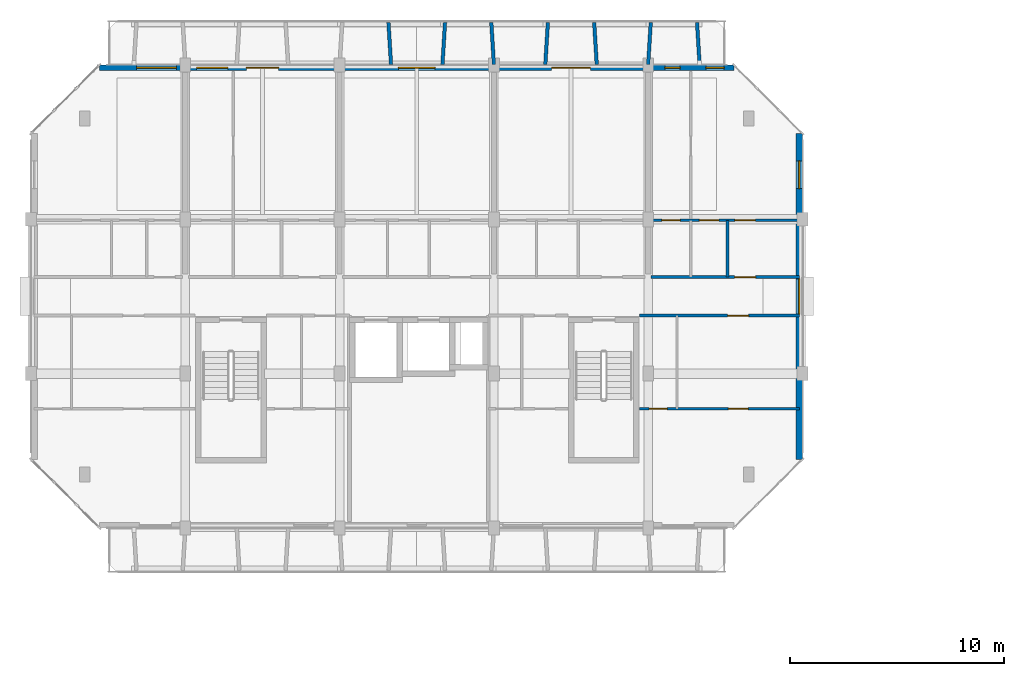
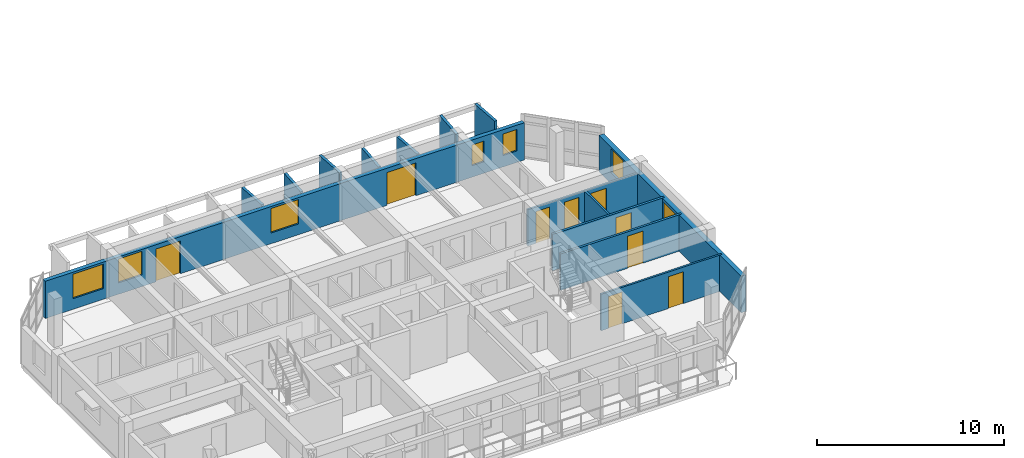
# One storey, part 20 of 43: 14 walls, 9 doors, 7 windows, 16 openings.
"""IFC4 building model written with IfcOpenShell, lengths in metres."""

from ifc_helpers import new_model, si_unit, direction, frame, frame_2d, origin, place, context, subcontext, project, spatial, rectangle, extrude, material, layer, layer_set, type_object, element, fill, save


model = new_model("IFC4")

# Units and contexts
model_context = context("Model", 3, precision=1e-05, world=origin(), true_north=direction((0.0, 1.0)))
body_context = subcontext(model_context, "Body", "Model", "MODEL_VIEW")
ifc_project = project(units=[si_unit("LENGTHUNIT", "METRE"), si_unit("AREAUNIT", "SQUARE_METRE"), si_unit("VOLUMEUNIT", "CUBIC_METRE"), si_unit("PLANEANGLEUNIT", "RADIAN"), si_unit("MASSUNIT", "GRAM", prefix="KILO")], contexts=[model_context])

# Site, building, storey
site_placement = place(None, origin())
site = spatial("IfcSite", under=ifc_project, at=site_placement, CompositionType="ELEMENT")
building_placement = place(site_placement, origin())
building = spatial("IfcBuilding", under=site, at=building_placement, Name="Ochrevale Crest", CompositionType="ELEMENT")
storey_placement = place(building_placement, frame((0.0, 0.0, 15.0)))
storey = spatial("IfcBuildingStorey", under=building, at=storey_placement, Name="L04", CompositionType="ELEMENT", Elevation=15.0)

# Wall, opening, door
ifc_material_1 = material(Name="Gypsum plasterboard", Category="gypsum")
ifc_layer_1 = layer(ifc_material_1, 0.139892578125)
ifc_layer_set_1 = layer_set([ifc_layer_1], Name="Gypsum plasterboard")
wall_type_1 = type_object("IfcWallType", Name="WL-COR-140", PredefinedType="PARTITIONING", material=ifc_layer_set_1)
wall_1_placement = place(storey_placement, frame((28.93994140625, 83.699951171875, 0.0), z_axis=(0.0, 0.0, 1.0), x_axis=(1.0, 0.0, 0.0)))
wall_1 = element("IfcWall", 1, at=wall_1_placement, inside=storey, type_object=wall_type_1, Name="Apartment B-L04-U5 corridor wall", PredefinedType="PARTITIONING", context=body_context, shape_type="SweptSolid", body=[
    extrude(rectangle(XDim=6.920166015625, YDim=0.139892578125, at=frame_2d((3.4599609375, 0.0))), origin(), (0.0, 0.0, 1.0), 2.3798828125),
])
opening_1_placement = place(wall_1_placement, frame((4.875, 0.0, 0.0), z_axis=(0.0, 0.0, 1.0), x_axis=(-1.0, 0.0, 0.0)))
opening_1 = element("IfcOpeningElement", 2, at=opening_1_placement, cuts=wall_1, Name="Opening FD01", PredefinedType="OPENING", context=body_context, shape_type="SweptSolid", body=[
    extrude(rectangle(XDim=0.97998046875, YDim=2.10009765625, at=frame_2d((0.489990234375, 1.050048828125))), frame((0.0, 0.080078125, 0.0), z_axis=(0.0, -1.0, 0.0), x_axis=(1.0, 0.0, 0.0)), (0.0, 0.0, 1.0), 0.159912109375),
])
ifc_material_2 = material(Name="Solid-core FSC hardwood", Category="wood")
door_type_1 = type_object("IfcDoorType", Name="DR-APT-950", OperationType="NOTDEFINED", PredefinedType="DOOR", material=ifc_material_2)
door_1_placement = place(opening_1_placement, origin())
door_1 = element("IfcDoor", 3, at=door_1_placement, inside=storey, type_object=door_type_1, Name="Apartment B-L04-U5 entrance door", OperationType="SINGLE_SWING_RIGHT", OverallHeight=2.10009765625, OverallWidth=0.97998046875, PredefinedType="DOOR", context=body_context, shape_type="SweptSolid", body=[
    extrude(rectangle(XDim=0.97998046875, YDim=2.10009765625, at=frame_2d((0.489990234375, 1.050048828125))), frame((0.0, 0.02490234375, 0.0), z_axis=(0.0, -1.0, 0.0), x_axis=(1.0, 0.0, 0.0)), (0.0, 0.0, 1.0), 0.050048828125),
])
fill(opening_1, door_1)

wall_2_placement = place(storey_placement, frame((28.389892578125, 81.89990234375, 0.0), z_axis=(0.0, 0.0, 1.0), x_axis=(1.0, 0.0, 0.0)))
wall_2 = element("IfcWall", 4, at=wall_2_placement, inside=storey, type_object=wall_type_1, Name="Suite B-L04-CE corridor wall", PredefinedType="PARTITIONING", context=body_context, shape_type="SweptSolid", body=[
    extrude(rectangle(XDim=7.47021484375, YDim=0.139892578125, at=frame_2d((3.735107421875, 0.0))), origin(), (0.0, 0.0, 1.0), 2.3798828125),
])
opening_2_placement = place(wall_2_placement, frame((5.10009765625, 0.0, 0.0), z_axis=(0.0, 0.0, 1.0), x_axis=(-1.0, 0.0, 0.0)))
opening_2 = element("IfcOpeningElement", 5, at=opening_2_placement, cuts=wall_2, Name="Opening FD01", PredefinedType="OPENING", context=body_context, shape_type="SweptSolid", body=[
    extrude(rectangle(XDim=0.97998046875, YDim=2.10009765625, at=frame_2d((0.489990234375, 1.050048828125))), frame((0.0, 0.080078125, 0.0), z_axis=(0.0, -1.0, 0.0), x_axis=(1.0, 0.0, 0.0)), (0.0, 0.0, 1.0), 0.159912109375),
])
door_2_placement = place(opening_2_placement, origin())
door_2 = element("IfcDoor", 6, at=door_2_placement, inside=storey, type_object=door_type_1, Name="Suite B-L04-CE entrance door", OperationType="SINGLE_SWING_RIGHT", OverallHeight=2.10009765625, OverallWidth=0.97998046875, PredefinedType="DOOR", context=body_context, shape_type="SweptSolid", body=[
    extrude(rectangle(XDim=0.97998046875, YDim=2.10009765625, at=frame_2d((0.489990234375, 1.050048828125))), frame((0.0, 0.02490234375, 0.0), z_axis=(0.0, -1.0, 0.0), x_axis=(1.0, 0.0, 0.0)), (0.0, 0.0, 1.0), 0.050048828125),
])
fill(opening_2, door_2)

# Wall, openings, windows
ifc_material_3 = material(Name="Clay face brickwork", Category="masonry")
ifc_layer_2 = layer(ifc_material_3, 0.2900390625)
ifc_layer_set_2 = layer_set([ifc_layer_2], Name="Clay face brickwork")
wall_type_2 = type_object("IfcWallType", Name="WL-EXT-BRICK-290", PredefinedType="SOLIDWALL", material=ifc_layer_set_2)
wall_3_placement = place(storey_placement, frame((35.85498046875, 75.199951171875, 0.0), z_axis=(0.0, 0.0, 1.0), x_axis=(0.0, 1.0, 0.0)))
wall_3 = element("IfcWall", 7, at=wall_3_placement, inside=storey, type_object=wall_type_2, Name="Block B L04 external facade wall E3", PredefinedType="SOLIDWALL", context=body_context, shape_type="SweptSolid", body=[
    extrude(rectangle(XDim=15.199951171875, YDim=0.2900390625, at=frame_2d((7.60009765625, 0.0))), origin(), (0.0, 0.0, 1.0), 2.3798828125),
])
opening_3_placement = place(wall_3_placement, frame((6.77490234375, 0.0, 1.050048828125)))
opening_3 = element("IfcOpeningElement", 8, at=opening_3_placement, cuts=wall_3, Name="Opening W19", PredefinedType="OPENING", context=body_context, shape_type="SweptSolid", body=[
    extrude(rectangle(XDim=1.64990234375, YDim=1.14990234375, at=frame_2d((0.824951171875, 0.574951171875))), frame((0.0, 0.155029296875, 0.0), z_axis=(0.0, -1.0, 0.0), x_axis=(1.0, 0.0, 0.0)), (0.0, 0.0, 1.0), 0.31005859375),
])
opening_4_placement = place(wall_3_placement, frame((12.62744140625, 0.0, 0.719970703125)))
opening_4 = element("IfcOpeningElement", 9, at=opening_4_placement, cuts=wall_3, Name="Opening W30", PredefinedType="OPENING", context=body_context, shape_type="SweptSolid", body=[
    extrude(rectangle(XDim=1.300048828125, YDim=1.550048828125, at=frame_2d((0.64990234375, 0.77490234375))), frame((0.0, 0.155029296875, 0.0), z_axis=(0.0, -1.0, 0.0), x_axis=(1.0, 0.0, 0.0)), (0.0, 0.0, 1.0), 0.31005859375),
])
ifc_material_4 = material(Name="Anodised aluminium 6063-T5 and low-E double glazing", Category="aluminium")
window_type_1 = type_object("IfcWindowType", Name="WIN-W19", PartitioningType="SINGLE_PANEL", PredefinedType="WINDOW", material=ifc_material_4)
window_1_placement = place(opening_3_placement, origin())
window_1 = element("IfcWindow", 10, at=window_1_placement, inside=storey, type_object=window_type_1, Name="Block B L04 corridor end daylight window E", OverallHeight=1.14990234375, OverallWidth=1.64990234375, PartitioningType="SINGLE_PANEL", PredefinedType="WINDOW", context=body_context, shape_type="SweptSolid", body=[
    extrude(rectangle(XDim=1.64990234375, YDim=1.14990234375, at=frame_2d((0.824951171875, 0.574951171875))), frame((0.0, 0.030029296875, 0.0), z_axis=(0.0, -1.0, 0.0), x_axis=(1.0, 0.0, 0.0)), (0.0, 0.0, 1.0), 0.06005859375),
])
fill(opening_3, window_1)
window_type_2 = type_object("IfcWindowType", Name="WIN-W30", PartitioningType="SINGLE_PANEL", PredefinedType="WINDOW", material=ifc_material_4)
window_2_placement = place(opening_4_placement, origin())
window_2 = element("IfcWindow", 11, at=window_2_placement, inside=storey, type_object=window_type_2, Name="Block B L04 side suite window E", OverallHeight=1.550048828125, OverallWidth=1.300048828125, PartitioningType="SINGLE_PANEL", PredefinedType="WINDOW", context=body_context, shape_type="SweptSolid", body=[
    extrude(rectangle(XDim=1.300048828125, YDim=1.550048828125, at=frame_2d((0.64990234375, 0.77490234375))), frame((0.0, 0.030029296875, 0.0), z_axis=(0.0, -1.0, 0.0), x_axis=(1.0, 0.0, 0.0)), (0.0, 0.0, 1.0), 0.06005859375),
])
fill(opening_4, window_2)

# Wall, openings, doors, windows
ifc_material_5 = material(Name="Precast concrete C40/50", Category="concrete")
ifc_layer_3 = layer(ifc_material_5, 0.25)
ifc_layer_set_3 = layer_set([ifc_layer_3], Name="Precast concrete C40/50")
wall_type_3 = type_object("IfcWallType", Name="WL-EXT-GOLD-250", PredefinedType="SOLIDWALL", material=ifc_layer_set_3)
wall_4_placement = place(storey_placement, frame((32.800048828125, 93.47509765625, 0.0), z_axis=(0.0, 0.0, 1.0), x_axis=(-1.0, 0.0, 0.0)))
wall_4 = element("IfcWall", 12, at=wall_4_placement, inside=storey, type_object=wall_type_3, Name="Block B L04 external facade wall E5", PredefinedType="SOLIDWALL", context=body_context, shape_type="SweptSolid", body=[
    extrude(rectangle(XDim=29.60009765625, YDim=0.25, at=frame_2d((14.800048828125, 0.0))), origin(), (0.0, 0.0, 1.0), 2.429931640625),
])
opening_5_placement = place(wall_4_placement, frame((22.75, 0.0, 0.0), z_axis=(0.0, 0.0, 1.0), x_axis=(-1.0, 0.0, 0.0)))
opening_5 = element("IfcOpeningElement", 13, at=opening_5_placement, cuts=wall_4, Name="Opening BD01", PredefinedType="OPENING", context=body_context, shape_type="SweptSolid", body=[
    extrude(rectangle(XDim=1.5, YDim=2.14990234375, at=frame_2d((0.75, 1.074951171875))), frame((0.0, 0.135009765625, 0.0), z_axis=(0.0, -1.0, 0.0), x_axis=(1.0, 0.0, 0.0)), (0.0, 0.0, 1.0), 0.27001953125),
])
opening_6_placement = place(wall_4_placement, frame((8.5, 0.0, 0.0), z_axis=(0.0, 0.0, 1.0), x_axis=(-1.0, 0.0, 0.0)))
opening_6 = element("IfcOpeningElement", 14, at=opening_6_placement, cuts=wall_4, Name="Opening BD03", PredefinedType="OPENING", context=body_context, shape_type="SweptSolid", body=[
    extrude(rectangle(XDim=1.800048828125, YDim=2.14990234375, at=frame_2d((0.89990234375, 1.074951171875))), frame((0.0, 0.135009765625, 0.0), z_axis=(0.0, -1.0, 0.0), x_axis=(1.0, 0.0, 0.0)), (0.0, 0.0, 1.0), 0.27001953125),
])
opening_7_placement = place(wall_4_placement, frame((26.014892578125, 0.0, 0.699951171875)))
opening_7 = element("IfcOpeningElement", 15, at=opening_7_placement, cuts=wall_4, Name="Opening W11", PredefinedType="OPENING", context=body_context, shape_type="SweptSolid", body=[
    extrude(rectangle(XDim=1.860107421875, YDim=1.60009765625, at=frame_2d((0.93017578125, 0.800048828125))), frame((0.0, 0.135009765625, 0.0), z_axis=(0.0, -1.0, 0.0), x_axis=(1.0, 0.0, 0.0)), (0.0, 0.0, 1.0), 0.27001953125),
])
opening_8_placement = place(wall_4_placement, frame((23.610107421875, 0.0, 0.75)))
opening_8 = element("IfcOpeningElement", 16, at=opening_8_placement, cuts=wall_4, Name="Opening W08", PredefinedType="OPENING", context=body_context, shape_type="SweptSolid", body=[
    extrude(rectangle(XDim=1.4599609375, YDim=1.550048828125, at=frame_2d((0.72998046875, 0.77490234375))), frame((0.0, 0.135009765625, 0.0), z_axis=(0.0, -1.0, 0.0), x_axis=(1.0, 0.0, 0.0)), (0.0, 0.0, 1.0), 0.27001953125),
])
opening_9_placement = place(wall_4_placement, frame((13.93994140625, 0.0, 0.699951171875)))
opening_9 = element("IfcOpeningElement", 17, at=opening_9_placement, cuts=wall_4, Name="Opening W10", PredefinedType="OPENING", context=body_context, shape_type="SweptSolid", body=[
    extrude(rectangle(XDim=1.719970703125, YDim=1.60009765625, at=frame_2d((0.85986328125, 0.800048828125))), frame((0.0, 0.135009765625, 0.0), z_axis=(0.0, -1.0, 0.0), x_axis=(1.0, 0.0, 0.0)), (0.0, 0.0, 1.0), 0.27001953125),
])
opening_10_placement = place(wall_4_placement, frame((2.5048828125, 0.0, 0.75)))
opening_10 = element("IfcOpeningElement", 18, at=opening_10_placement, cuts=wall_4, Name="Opening W02", PredefinedType="OPENING", context=body_context, shape_type="SweptSolid", body=[
    extrude(rectangle(XDim=0.719970703125, YDim=1.35009765625, at=frame_2d((0.35986328125, 0.675048828125))), frame((0.0, 0.135009765625, 0.0), z_axis=(0.0, -1.0, 0.0), x_axis=(1.0, 0.0, 0.0)), (0.0, 0.0, 1.0), 0.27001953125),
])
opening_11_placement = place(wall_4_placement, frame((0.4599609375, 0.0, 0.75)))
opening_11 = element("IfcOpeningElement", 19, at=opening_11_placement, cuts=wall_4, Name="Opening W03", PredefinedType="OPENING", context=body_context, shape_type="SweptSolid", body=[
    extrude(rectangle(XDim=0.85009765625, YDim=1.39990234375, at=frame_2d((0.425048828125, 0.699951171875))), frame((0.0, 0.135009765625, 0.0), z_axis=(0.0, -1.0, 0.0), x_axis=(1.0, 0.0, 0.0)), (0.0, 0.0, 1.0), 0.27001953125),
])
ifc_material_6 = material(Name="Anodised aluminium 6063-T5 and toughened glass", Category="aluminium")
door_type_2 = type_object("IfcDoorType", Name="DR-BAL-1500", OperationType="NOTDEFINED", PredefinedType="DOOR", material=ifc_material_6)
door_3_placement = place(opening_5_placement, origin())
door_3 = element("IfcDoor", 20, at=door_3_placement, inside=storey, type_object=door_type_2, Name="Block B L04 balcony door N2", OperationType="SINGLE_SWING_RIGHT", OverallHeight=2.14990234375, OverallWidth=1.5, PredefinedType="DOOR", context=body_context, shape_type="SweptSolid", body=[
    extrude(rectangle(XDim=1.5, YDim=2.14990234375, at=frame_2d((0.75, 1.074951171875))), frame((0.0, 0.02490234375, 0.0), z_axis=(0.0, -1.0, 0.0), x_axis=(1.0, 0.0, 0.0)), (0.0, 0.0, 1.0), 0.050048828125),
])
fill(opening_5, door_3)
door_type_3 = type_object("IfcDoorType", Name="DR-BAL-1800", OperationType="NOTDEFINED", PredefinedType="DOOR", material=ifc_material_6)
door_4_placement = place(opening_6_placement, origin())
door_4 = element("IfcDoor", 21, at=door_4_placement, inside=storey, type_object=door_type_3, Name="Block B L04 balcony door N4", OperationType="SINGLE_SWING_LEFT", OverallHeight=2.14990234375, OverallWidth=1.800048828125, PredefinedType="DOOR", context=body_context, shape_type="SweptSolid", body=[
    extrude(rectangle(XDim=1.800048828125, YDim=2.14990234375, at=frame_2d((0.89990234375, 1.074951171875))), frame((0.0, 0.02490234375, 0.0), z_axis=(0.0, -1.0, 0.0), x_axis=(1.0, 0.0, 0.0)), (0.0, 0.0, 1.0), 0.050048828125),
])
fill(opening_6, door_4)
window_type_3 = type_object("IfcWindowType", Name="WIN-W02", PartitioningType="SINGLE_PANEL", PredefinedType="WINDOW", material=ifc_material_4)
window_3_placement = place(opening_10_placement, origin())
window_3 = element("IfcWindow", 22, at=window_3_placement, inside=storey, type_object=window_type_3, Name="Block B L04 Apartment B-L04-U5 Double Bedroom window", OverallHeight=1.35009765625, OverallWidth=0.719970703125, PartitioningType="SINGLE_PANEL", PredefinedType="WINDOW", context=body_context, shape_type="SweptSolid", body=[
    extrude(rectangle(XDim=0.719970703125, YDim=1.35009765625, at=frame_2d((0.35986328125, 0.675048828125))), frame((0.0, 0.030029296875, 0.0), z_axis=(0.0, -1.0, 0.0), x_axis=(1.0, 0.0, 0.0)), (0.0, 0.0, 1.0), 0.06005859375),
])
fill(opening_10, window_3)
window_type_4 = type_object("IfcWindowType", Name="WIN-W03", PartitioningType="SINGLE_PANEL", PredefinedType="WINDOW", material=ifc_material_4)
window_4_placement = place(opening_11_placement, origin())
window_4 = element("IfcWindow", 23, at=window_4_placement, inside=storey, type_object=window_type_4, Name="Block B L04 Apartment B-L04-U5 Two Bedroom Living Room window", OverallHeight=1.39990234375, OverallWidth=0.85009765625, PartitioningType="SINGLE_PANEL", PredefinedType="WINDOW", context=body_context, shape_type="SweptSolid", body=[
    extrude(rectangle(XDim=0.85009765625, YDim=1.39990234375, at=frame_2d((0.425048828125, 0.699951171875))), frame((0.0, 0.030029296875, 0.0), z_axis=(0.0, -1.0, 0.0), x_axis=(1.0, 0.0, 0.0)), (0.0, 0.0, 1.0), 0.06005859375),
])
fill(opening_11, window_4)
window_type_5 = type_object("IfcWindowType", Name="WIN-W08", PartitioningType="SINGLE_PANEL", PredefinedType="WINDOW", material=ifc_material_4)
window_5_placement = place(opening_8_placement, origin())
window_5 = element("IfcWindow", 24, at=window_5_placement, inside=storey, type_object=window_type_5, Name="Block B L04 Apartment B-L04-U2 Master Bedroom window", OverallHeight=1.550048828125, OverallWidth=1.4599609375, PartitioningType="SINGLE_PANEL", PredefinedType="WINDOW", context=body_context, shape_type="SweptSolid", body=[
    extrude(rectangle(XDim=1.4599609375, YDim=1.550048828125, at=frame_2d((0.72998046875, 0.77490234375))), frame((0.0, 0.030029296875, 0.0), z_axis=(0.0, -1.0, 0.0), x_axis=(1.0, 0.0, 0.0)), (0.0, 0.0, 1.0), 0.06005859375),
])
fill(opening_8, window_5)
window_type_6 = type_object("IfcWindowType", Name="WIN-W10", PartitioningType="SINGLE_PANEL", PredefinedType="WINDOW", material=ifc_material_4)
window_6_placement = place(opening_9_placement, origin())
window_6 = element("IfcWindow", 25, at=window_6_placement, inside=storey, type_object=window_type_6, Name="Block B L04 Studio B-L04-U3 Living Room window", OverallHeight=1.60009765625, OverallWidth=1.719970703125, PartitioningType="SINGLE_PANEL", PredefinedType="WINDOW", context=body_context, shape_type="SweptSolid", body=[
    extrude(rectangle(XDim=1.719970703125, YDim=1.60009765625, at=frame_2d((0.85986328125, 0.800048828125))), frame((0.0, 0.030029296875, 0.0), z_axis=(0.0, -1.0, 0.0), x_axis=(1.0, 0.0, 0.0)), (0.0, 0.0, 1.0), 0.06005859375),
])
fill(opening_9, window_6)
window_type_7 = type_object("IfcWindowType", Name="WIN-W11", PartitioningType="SINGLE_PANEL", PredefinedType="WINDOW", material=ifc_material_4)
window_7_placement = place(opening_7_placement, origin())
window_7 = element("IfcWindow", 26, at=window_7_placement, inside=storey, type_object=window_type_7, Name="Block B L04 Studio B-L04-U1 Living Room window", OverallHeight=1.60009765625, OverallWidth=1.860107421875, PartitioningType="SINGLE_PANEL", PredefinedType="WINDOW", context=body_context, shape_type="SweptSolid", body=[
    extrude(rectangle(XDim=1.860107421875, YDim=1.60009765625, at=frame_2d((0.93017578125, 0.800048828125))), frame((0.0, 0.030029296875, 0.0), z_axis=(0.0, -1.0, 0.0), x_axis=(1.0, 0.0, 0.0)), (0.0, 0.0, 1.0), 0.06005859375),
])
fill(opening_7, window_7)

# Walls
ifc_layer_4 = layer(ifc_material_5, 0.1650390625)
ifc_layer_set_4 = layer_set([ifc_layer_4], Name="Precast concrete C40/50")
wall_type_4 = type_object("IfcWallType", Name="WL-HC-CHEEK-165", PredefinedType="ELEMENTEDWALL", material=ifc_layer_set_4)
for number, where, z_axis, x_axis, name in (
    (27, (16.800048828125, 93.6201171875, 0.0), (0.0, 0.0, 1.0), (-0.061170732449, 0.998127317276, 0.0), "Block B L04 N precast honeycomb cheek 6"),
    (28, (19.199951171875, 93.6201171875, 0.0), (0.0, 0.0, 1.0), (0.061170732449, 0.998127317276, 0.0), "Block B L04 N precast honeycomb cheek 7"),
):
    element("IfcWall", number, at=place(storey_placement, frame(where, z_axis=z_axis, x_axis=x_axis)), inside=storey, type_object=wall_type_4, Name=name, PredefinedType="ELEMENTEDWALL", context=body_context, shape_type="SweptSolid", body=[
        extrude(rectangle(XDim=1.963623046875, YDim=0.1650390625, at=frame_2d((0.98193359375, 0.0))), origin(), (0.0, 0.0, 1.0), 2.530029296875),
    ])
wall_5_placement = place(storey_placement, frame((21.60009765625, 93.6201171875, 0.0), z_axis=(0.0, 0.0, 1.0), x_axis=(-0.061170732449, 0.998127317276, 0.0)))
element("IfcWall", 29, at=wall_5_placement, inside=storey, type_object=wall_type_4, Name="Block B L04 N precast honeycomb cheek 8", PredefinedType="ELEMENTEDWALL", context=body_context, shape_type="SweptSolid", body=[
    extrude(rectangle(XDim=1.963623046875, YDim=0.1650390625, at=frame_2d((0.98193359375, 0.0))), origin(), (0.0, 0.0, 1.0), 2.949951171875),
])
for number, where, z_axis, x_axis, name in (
    (30, (24.0, 93.6201171875, 0.0), (0.0, 0.0, 1.0), (0.061170732449, 0.998127317276, 0.0), "Block B L04 N precast honeycomb cheek 9"),
    (31, (26.39990234375, 93.6201171875, 0.0), (0.0, 0.0, 1.0), (-0.061046865508, 0.998134900808, 0.0), "Block B L04 N precast honeycomb cheek 10"),
):
    element("IfcWall", number, at=place(storey_placement, frame(where, z_axis=z_axis, x_axis=x_axis)), inside=storey, type_object=wall_type_4, Name=name, PredefinedType="ELEMENTEDWALL", context=body_context, shape_type="SweptSolid", body=[
        extrude(rectangle(XDim=1.963623046875, YDim=0.1650390625, at=frame_2d((0.98193359375, 0.0))), origin(), (0.0, 0.0, 1.0), 2.47998046875),
    ])
for number, where, z_axis, x_axis, name in (
    (32, (28.800048828125, 93.6201171875, 0.0), (0.0, 0.0, 1.0), (0.061046865508, 0.998134900808, 0.0), "Block B L04 N precast honeycomb cheek 11"),
    (33, (31.199951171875, 93.6201171875, 0.0), (0.0, 0.0, 1.0), (-0.061046865508, 0.998134900808, 0.0), "Block B L04 N precast honeycomb cheek 12"),
):
    element("IfcWall", number, at=place(storey_placement, frame(where, z_axis=z_axis, x_axis=x_axis)), inside=storey, type_object=wall_type_4, Name=name, PredefinedType="ELEMENTEDWALL", context=body_context, shape_type="SweptSolid", body=[
        extrude(rectangle(XDim=1.963623046875, YDim=0.1650390625, at=frame_2d((0.98193359375, 0.0))), origin(), (0.0, 0.0, 1.0), 2.949951171875),
    ])
ifc_layer_5 = layer(ifc_material_1, 0.1201171875)
ifc_layer_set_5 = layer_set([ifc_layer_5], Name="Gypsum plasterboard")
wall_type_5 = type_object("IfcWallType", Name="WL-PART-120", PredefinedType="PARTITIONING", material=ifc_layer_set_5)
wall_6_placement = place(storey_placement, frame((32.5, 83.699951171875, 0.0), z_axis=(0.0, 0.0, 1.0), x_axis=(0.0, 1.0, 0.0)))
element("IfcWall", 34, at=wall_6_placement, inside=storey, type_object=wall_type_5, Name="Apartment B-L04-U5 kitchen-foyer wall", PredefinedType="PARTITIONING", context=body_context, shape_type="SweptSolid", body=[
    extrude(rectangle(XDim=2.650146484375, YDim=0.1201171875, at=frame_2d((1.3251953125, 0.0))), origin(), (0.0, 0.0, 1.0), 2.375),
])

# Wall, openings, doors
wall_7_placement = place(storey_placement, frame((28.93994140625, 86.35009765625, 0.0), z_axis=(0.0, 0.0, 1.0), x_axis=(1.0, 0.0, 0.0)))
wall_7 = element("IfcWall", 35, at=wall_7_placement, inside=storey, type_object=wall_type_5, Name="Apartment B-L04-U5 central partition", PredefinedType="PARTITIONING", context=body_context, shape_type="SweptSolid", body=[
    extrude(rectangle(XDim=6.920166015625, YDim=0.1201171875, at=frame_2d((3.4599609375, 0.0))), origin(), (0.0, 0.0, 1.0), 2.375),
])
opening_12_placement = place(wall_7_placement, frame((0.5, 0.0, 0.0)))
opening_12 = element("IfcOpeningElement", 36, at=opening_12_placement, cuts=wall_7, Name="Opening ID01", PredefinedType="OPENING", context=body_context, shape_type="SweptSolid", body=[
    extrude(rectangle(XDim=0.85009765625, YDim=2.080078125, at=frame_2d((0.425048828125, 1.0400390625))), frame((0.0, 0.070068359375, 0.0), z_axis=(0.0, -1.0, 0.0), x_axis=(1.0, 0.0, 0.0)), (0.0, 0.0, 1.0), 0.14013671875),
])
opening_13_placement = place(wall_7_placement, frame((3.15478515625, 0.0, 0.0), z_axis=(0.0, 0.0, 1.0), x_axis=(-1.0, 0.0, 0.0)))
opening_13 = element("IfcOpeningElement", 37, at=opening_13_placement, cuts=wall_7, Name="Opening ID02", PredefinedType="OPENING", context=body_context, shape_type="SweptSolid", body=[
    extrude(rectangle(XDim=0.89990234375, YDim=2.080078125, at=frame_2d((0.449951171875, 1.0400390625))), frame((0.0, 0.070068359375, 0.0), z_axis=(0.0, -1.0, 0.0), x_axis=(1.0, 0.0, 0.0)), (0.0, 0.0, 1.0), 0.14013671875),
])
opening_14_placement = place(wall_7_placement, frame((3.909912109375, 0.0, 0.0)))
opening_14 = element("IfcOpeningElement", 38, at=opening_14_placement, cuts=wall_7, Name="Opening ID06", PredefinedType="OPENING", context=body_context, shape_type="SweptSolid", body=[
    extrude(rectangle(XDim=0.949951171875, YDim=2.080078125, at=frame_2d((0.47509765625, 1.0400390625))), frame((0.0, 0.070068359375, 0.0), z_axis=(0.0, -1.0, 0.0), x_axis=(1.0, 0.0, 0.0)), (0.0, 0.0, 1.0), 0.14013671875),
])
door_type_4 = type_object("IfcDoorType", Name="DR-INT-900", OperationType="NOTDEFINED", PredefinedType="DOOR", material=ifc_material_2)
door_5_placement = place(opening_13_placement, origin())
door_5 = element("IfcDoor", 39, at=door_5_placement, inside=storey, type_object=door_type_4, Name="Apartment B-L04-U5 Kitchen door", OperationType="SINGLE_SWING_RIGHT", OverallHeight=2.080078125, OverallWidth=0.89990234375, PredefinedType="DOOR", context=body_context, shape_type="SweptSolid", body=[
    extrude(rectangle(XDim=0.89990234375, YDim=2.080078125, at=frame_2d((0.449951171875, 1.0400390625))), frame((0.0, 0.02490234375, 0.0), z_axis=(0.0, -1.0, 0.0), x_axis=(1.0, 0.0, 0.0)), (0.0, 0.0, 1.0), 0.050048828125),
])
fill(opening_13, door_5)
door_type_5 = type_object("IfcDoorType", Name="DR-INT-950", OperationType="NOTDEFINED", PredefinedType="DOOR", material=ifc_material_2)
door_6_placement = place(opening_14_placement, origin())
door_6 = element("IfcDoor", 40, at=door_6_placement, inside=storey, type_object=door_type_5, Name="Apartment B-L04-U5 Living Foyer door", OperationType="SINGLE_SWING_LEFT", OverallHeight=2.080078125, OverallWidth=0.949951171875, PredefinedType="DOOR", context=body_context, shape_type="SweptSolid", body=[
    extrude(rectangle(XDim=0.949951171875, YDim=2.080078125, at=frame_2d((0.47509765625, 1.0400390625))), frame((0.0, 0.02490234375, 0.0), z_axis=(0.0, -1.0, 0.0), x_axis=(1.0, 0.0, 0.0)), (0.0, 0.0, 1.0), 0.050048828125),
])
fill(opening_14, door_6)
door_type_6 = type_object("IfcDoorType", Name="DR-WC-850", OperationType="NOTDEFINED", PredefinedType="DOOR", material=ifc_material_2)
door_7_placement = place(opening_12_placement, origin())
door_7 = element("IfcDoor", 41, at=door_7_placement, inside=storey, type_object=door_type_6, Name="Apartment B-L04-U5 Bathroom door", OperationType="SINGLE_SWING_LEFT", OverallHeight=2.080078125, OverallWidth=0.85009765625, PredefinedType="DOOR", context=body_context, shape_type="SweptSolid", body=[
    extrude(rectangle(XDim=0.85009765625, YDim=2.080078125, at=frame_2d((0.425048828125, 1.0400390625))), frame((0.0, 0.02490234375, 0.0), z_axis=(0.0, -1.0, 0.0), x_axis=(1.0, 0.0, 0.0)), (0.0, 0.0, 1.0), 0.050048828125),
])
fill(opening_12, door_7)

wall_8_placement = place(storey_placement, frame((28.389892578125, 77.550048828125, 0.0), z_axis=(0.0, 0.0, 1.0), x_axis=(1.0, 0.0, 0.0)))
wall_8 = element("IfcWall", 42, at=wall_8_placement, inside=storey, type_object=wall_type_5, Name="Suite B-L04-CE internal wall", PredefinedType="PARTITIONING", context=body_context, shape_type="SweptSolid", body=[
    extrude(rectangle(XDim=7.47021484375, YDim=0.1201171875, at=frame_2d((3.735107421875, 0.0))), origin(), (0.0, 0.0, 1.0), 2.3798828125),
])
opening_15_placement = place(wall_8_placement, frame((0.449951171875, 0.0, 0.0)))
opening_15 = element("IfcOpeningElement", 43, at=opening_15_placement, cuts=wall_8, Name="Opening ID01", PredefinedType="OPENING", context=body_context, shape_type="SweptSolid", body=[
    extrude(rectangle(XDim=0.85009765625, YDim=2.080078125, at=frame_2d((0.425048828125, 1.0400390625))), frame((0.0, 0.070068359375, 0.0), z_axis=(0.0, -1.0, 0.0), x_axis=(1.0, 0.0, 0.0)), (0.0, 0.0, 1.0), 0.14013671875),
])
opening_16_placement = place(wall_8_placement, frame((5.06982421875, 0.0, 0.0), z_axis=(0.0, 0.0, 1.0), x_axis=(-1.0, 0.0, 0.0)))
opening_16 = element("IfcOpeningElement", 44, at=opening_16_placement, cuts=wall_8, Name="Opening ID04", PredefinedType="OPENING", context=body_context, shape_type="SweptSolid", body=[
    extrude(rectangle(XDim=0.919921875, YDim=2.080078125, at=frame_2d((0.4599609375, 1.0400390625))), frame((0.0, 0.070068359375, 0.0), z_axis=(0.0, -1.0, 0.0), x_axis=(1.0, 0.0, 0.0)), (0.0, 0.0, 1.0), 0.14013671875),
])
door_type_7 = type_object("IfcDoorType", Name="DR-INT-920", OperationType="NOTDEFINED", PredefinedType="DOOR", material=ifc_material_2)
door_8_placement = place(opening_16_placement, origin())
door_8 = element("IfcDoor", 45, at=door_8_placement, inside=storey, type_object=door_type_7, Name="Suite B-L04-CE Master Bedroom door", OperationType="SINGLE_SWING_RIGHT", OverallHeight=2.080078125, OverallWidth=0.919921875, PredefinedType="DOOR", context=body_context, shape_type="SweptSolid", body=[
    extrude(rectangle(XDim=0.919921875, YDim=2.080078125, at=frame_2d((0.4599609375, 1.0400390625))), frame((0.0, 0.02490234375, 0.0), z_axis=(0.0, -1.0, 0.0), x_axis=(1.0, 0.0, 0.0)), (0.0, 0.0, 1.0), 0.050048828125),
])
fill(opening_16, door_8)
door_9_placement = place(opening_15_placement, origin())
door_9 = element("IfcDoor", 46, at=door_9_placement, inside=storey, type_object=door_type_6, Name="Suite B-L04-CE Bathroom door", OperationType="SINGLE_SWING_LEFT", OverallHeight=2.080078125, OverallWidth=0.85009765625, PredefinedType="DOOR", context=body_context, shape_type="SweptSolid", body=[
    extrude(rectangle(XDim=0.85009765625, YDim=2.080078125, at=frame_2d((0.425048828125, 1.0400390625))), frame((0.0, 0.02490234375, 0.0), z_axis=(0.0, -1.0, 0.0), x_axis=(1.0, 0.0, 0.0)), (0.0, 0.0, 1.0), 0.050048828125),
])
fill(opening_15, door_9)

save(model, "model.ifc")
